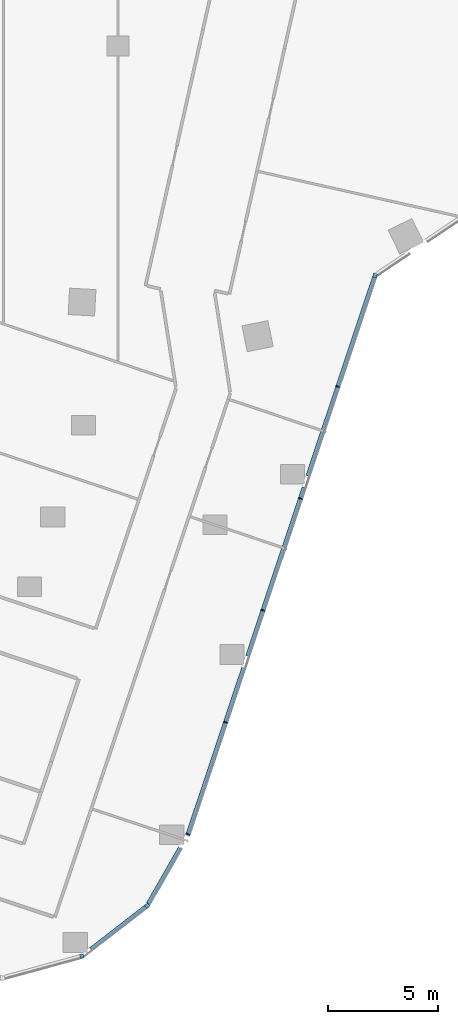
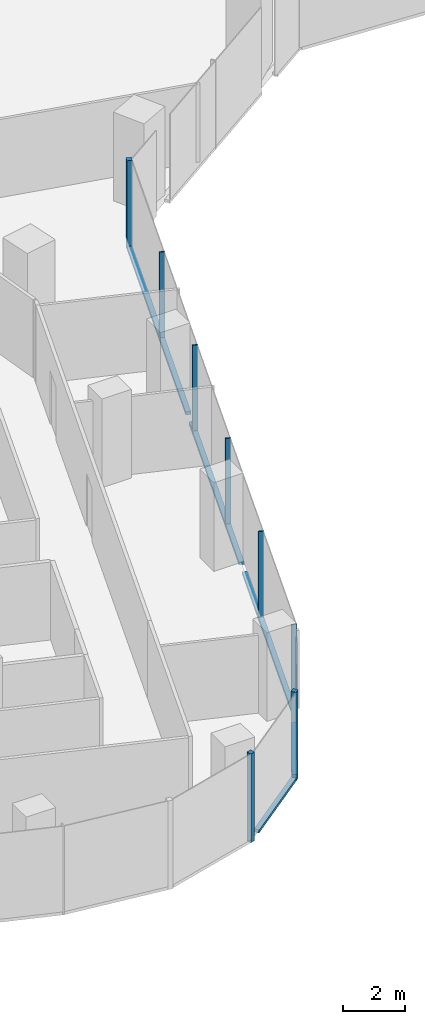
# One storey, part 5 of 32: 13 members, 4 elements without a shape of their own.
"""IFC4 building model written with IfcOpenShell, lengths in metres."""

import ifcopenshell
import ifcopenshell.guid

model = None  # the IFC model being written
_history = None  # IfcOwnerHistory: only IFC2X3 demands one
_inside = {}  # id of a spatial element -> (the spatial element, [elements in it])
_under = {}  # id of a project, library or spatial element -> (it, [spatial elements below it])
_declared = {}  # id of a project -> (the project, [libraries it declares])
_typed = {}  # id of a type object -> (the type object, [elements of that type])
_made_of = {}  # id of a material, layer set ... -> (it, [elements and type objects made of it])


def new_model(schema):
    """Start an empty IFC model of exactly this schema.

    Asked for "IFC4X3", IfcOpenShell would pick the latest addendum, in which some entities
    have other attributes; the version numbers below select the first issue.
    IFC2X3 requires an IfcOwnerHistory on every rooted entity: one is made here for all.
    """
    global model, _history
    if schema == "IFC4X3":
        model = ifcopenshell.file(schema_version=(4, 3, 0, 0))
    else:
        model = ifcopenshell.file(schema=schema)
    _inside.clear()
    _under.clear()
    _declared.clear()
    _typed.clear()
    _made_of.clear()
    _history = None
    if model.schema == "IFC2X3":
        org = make("IfcOrganization", Name="unknown")
        user = make(
            "IfcPersonAndOrganization",
            ThePerson=make("IfcPerson", FamilyName="unknown"),
            TheOrganization=org,
        )
        app = make(
            "IfcApplication",
            ApplicationDeveloper=org,
            Version="unknown",
            ApplicationFullName="unknown",
            ApplicationIdentifier="unknown",
        )
        _history = make(
            "IfcOwnerHistory",
            OwningUser=user,
            OwningApplication=app,
            ChangeAction="ADDED",
            CreationDate=0,
        )
    return model


def make(cls, **values):
    """One entity of the class cls with the attributes given. An attribute that is None is left unset."""
    return model.create_entity(
        cls, **{name: value for name, value in values.items() if value is not None}
    )


def rooted(cls, **values):
    """An entity with a GlobalId (a new one), such as an element, a storey or a relation."""
    return make(cls, GlobalId=ifcopenshell.guid.new(), OwnerHistory=_history, **values)


def si_unit(unit_type, name, prefix=None):
    """IfcSIUnit, for example si_unit("LENGTHUNIT", "METRE", prefix="MILLI")."""
    return make("IfcSIUnit", UnitType=unit_type, Prefix=prefix, Name=name)


def assignment(units):
    """IfcUnitAssignment: the units of a project."""
    return None if units is None else make("IfcUnitAssignment", Units=units)


def point(xyz):
    """IfcCartesianPoint."""
    return None if xyz is None else make("IfcCartesianPoint", Coordinates=xyz)


def direction(xyz):
    """IfcDirection."""
    return None if xyz is None else make("IfcDirection", DirectionRatios=xyz)


def frame(location, z_axis=None, x_axis=None):
    """IfcAxis2Placement3D, a coordinate frame: its origin and axes. An axis left out is left unset."""
    return make(
        "IfcAxis2Placement3D",
        Location=point(location),
        Axis=direction(z_axis),
        RefDirection=direction(x_axis),
    )


def frame_2d(location, x_axis=None):
    """IfcAxis2Placement2D, a coordinate frame in the plane: its origin and x axis."""
    return make(
        "IfcAxis2Placement2D", Location=point(location), RefDirection=direction(x_axis)
    )


def origin():
    """The frame at (0, 0, 0) with its axes left unset."""
    return frame((0.0, 0.0, 0.0))


def origin_2d():
    """The frame at (0, 0) in the plane with its x axis left unset."""
    return frame_2d((0.0, 0.0))


def place(relative_to, where):
    """IfcLocalPlacement: puts the frame where relative to a parent placement (None: the world)."""
    return make(
        "IfcLocalPlacement", PlacementRelTo=relative_to, RelativePlacement=where
    )


def context(
    kind, dimensions, precision=None, world=None, true_north=None, identifier=None
):
    """IfcGeometricRepresentationContext, for example the 3D "Model" context."""
    return make(
        "IfcGeometricRepresentationContext",
        ContextIdentifier=identifier,
        ContextType=kind,
        CoordinateSpaceDimension=dimensions,
        Precision=precision,
        WorldCoordinateSystem=world,
        TrueNorth=true_north,
    )


def subcontext(parent, identifier, kind, view, scale=None):
    """IfcGeometricRepresentationSubContext, for example "Body" below "Model"."""
    return make(
        "IfcGeometricRepresentationSubContext",
        ContextIdentifier=identifier,
        ContextType=kind,
        ParentContext=parent,
        TargetScale=scale,
        TargetView=view,
    )


def project(units=None, contexts=None):
    """IfcProject with its units and contexts."""
    return rooted(
        "IfcProject",
        Name="project",
        RepresentationContexts=contexts,
        UnitsInContext=assignment(units),
    )


def spatial(cls, under=None, at=None, **own):
    """A site, building, storey or space (cls), placed at a placement, below another one or the project."""
    s = rooted(cls, ObjectPlacement=at, **own)
    if under is not None:
        _under.setdefault(under.id(), (under, []))[1].append(s)
    return s


def profile(cls, at=None, kind="AREA", **sizes):
    """A parametric profile (cls). Its sizes go by their IFC names, for example OverallWidth=200.0."""
    return make(cls, ProfileType=kind, Position=at, **sizes)


def rectangle(**sizes):
    """IfcRectangleProfileDef."""
    return profile("IfcRectangleProfileDef", **sizes)


def extrude(swept, where, along, depth):
    """IfcExtrudedAreaSolid: the profile swept, set in the frame where, extruded along a direction by depth."""
    return make(
        "IfcExtrudedAreaSolid",
        SweptArea=swept,
        Position=where,
        ExtrudedDirection=direction(along),
        Depth=depth,
    )


def shape(context_of_items, identifier, shape_type, items):
    """IfcShapeRepresentation: the items that make up one representation, for example the "Body"."""
    return make(
        "IfcShapeRepresentation",
        ContextOfItems=context_of_items,
        RepresentationIdentifier=identifier,
        RepresentationType=shape_type,
        Items=items,
    )


def material(Name=None, Category=None):
    """IfcMaterial."""
    return make("IfcMaterial", Name=Name, Category=Category)


def material_profile(
    of_material, cross_section, Name=None, Category=None, Priority=None
):
    """IfcMaterialProfile: a cross section and its material."""
    return make(
        "IfcMaterialProfile",
        Name=Name,
        Material=of_material,
        Profile=cross_section,
        Priority=Priority,
        Category=Category,
    )


def profile_set(profiles, Name=None, composite=None):
    """IfcMaterialProfileSet."""
    return make(
        "IfcMaterialProfileSet",
        Name=Name,
        MaterialProfiles=profiles,
        CompositeProfile=composite,
    )


def made_of(thing, what):
    """Note that an element or type object is made of a material, layer set ...; save() writes the relation."""
    if what is not None:
        _made_of.setdefault(what.id(), (what, []))[1].append(thing)
    return thing


def type_object(cls, material=None, **own):
    """A type object (cls), such as IfcWallType, which elements share."""
    return made_of(rooted(cls, **own), material)


def element(
    cls,
    number,
    at=None,
    inside=None,
    cuts=None,
    type_object=None,
    material=None,
    context=None,
    identifier="Body",
    shape_type=None,
    held_by="IfcProductDefinitionShape",
    body=None,
    shapes=None,
    **own,
):
    """One element of the class cls, such as IfcWall. Its Tag is "e" and its number.

    at: its placement. inside: the storey or other place that contains it. cuts: it is an
    opening in that element (IfcRelVoidsElement). A single representation is given by context,
    identifier, shape_type and body (its items); several are given by shapes. held_by: the class
    of the entity that holds the representations. save() writes the other relations.
    """
    e = rooted(cls, Tag="e%d" % number, ObjectPlacement=at, **own)
    if body is not None:
        shapes = [shape(context, identifier, shape_type, body)]
    if shapes is not None:
        e.Representation = make(held_by, Representations=shapes)
    if inside is not None:
        _inside.setdefault(inside.id(), (inside, []))[1].append(e)
    if cuts is not None:
        rooted(
            "IfcRelVoidsElement", RelatingBuildingElement=cuts, RelatedOpeningElement=e
        )
    if type_object is not None:
        _typed.setdefault(type_object.id(), (type_object, []))[1].append(e)
    return made_of(e, material)


def aggregate(whole, parts):
    """IfcRelAggregates: a whole, such as a stair, and the parts it consists of."""
    return rooted("IfcRelAggregates", RelatingObject=whole, RelatedObjects=parts)


def save(model, path):
    """Write the relations noted so far, then the file.

    IfcRelAggregates (storeys below a building ...), IfcRelContainedInSpatialStructure (elements
    in a storey), IfcRelDefinesByType, IfcRelAssociatesMaterial and IfcRelDeclares: one each for
    every whole, place, type object, material and project.
    """
    for whole, parts in _under.values():
        aggregate(whole, parts)
    for where, things in _inside.values():
        rooted(
            "IfcRelContainedInSpatialStructure",
            RelatedElements=things,
            RelatingStructure=where,
        )
    for kind, things in _typed.values():
        rooted("IfcRelDefinesByType", RelatedObjects=things, RelatingType=kind)
    for what, things in _made_of.values():
        rooted("IfcRelAssociatesMaterial", RelatedObjects=things, RelatingMaterial=what)
    for by, libraries in _declared.values():
        rooted("IfcRelDeclares", RelatingContext=by, RelatedDefinitions=libraries)
    model.write(path)


model = new_model("IFC4")

# Units and contexts
model_context = context("Model", 3, precision=1e-05, world=origin(), true_north=direction((0.0, 1.0)))
body_context = subcontext(model_context, "Body", "Model", "MODEL_VIEW")
ifc_project = project(units=[si_unit("LENGTHUNIT", "METRE"), si_unit("AREAUNIT", "SQUARE_METRE"), si_unit("VOLUMEUNIT", "CUBIC_METRE"), si_unit("PLANEANGLEUNIT", "RADIAN"), si_unit("MASSUNIT", "GRAM", prefix="KILO")], contexts=[model_context])

# Site, building, storey
site_placement = place(None, origin())
site = spatial("IfcSite", under=ifc_project, at=site_placement, CompositionType="ELEMENT")
building_placement = place(site_placement, origin())
building = spatial("IfcBuilding", under=site, at=building_placement, Name="Orlundy Tower", CompositionType="ELEMENT")
storey_placement = place(building_placement, frame((0.0, 0.0, 149.10009765625)))
storey = spatial("IfcBuildingStorey", under=building, at=storey_placement, Name="L38", CompositionType="ELEMENT", Elevation=149.10009765625)

# Curtain wall, member
ifc_material_1 = material(Name="Aluminium bronze anodised", Category="aluminium")
curtain_wall_type = type_object("IfcCurtainWallType", Name="CW1 wall", PredefinedType="NOTDEFINED", material=ifc_material_1)
curtain_wall_1_placement = place(storey_placement, origin())
curtain_wall_1 = element("IfcCurtainWall", 1, at=curtain_wall_1_placement, inside=storey, type_object=curtain_wall_type, Name="CW1 run 02", PredefinedType="NOTDEFINED")
ifc_material_2 = material(Name="Aluminium bronze anodised", Category="aluminium")
ifc_material_profile_1 = material_profile(ifc_material_2, rectangle(XDim=0.179931640625, YDim=0.179931640625, at=origin_2d()), Name="CW1 corner post 180x180")
ifc_profile_set_1 = profile_set([ifc_material_profile_1], Name="Aluminium bronze anodised")
member_type_1 = type_object("IfcMemberType", Name="CW1 corner post 180x180", PredefinedType="MULLION", material=ifc_profile_set_1)
member_1_placement = place(storey_placement, frame((11.675537109375, -28.41943359375, -0.400146484375), z_axis=(0.0, 0.0, 1.0), x_axis=(0.948320522025, -0.317314020344, 0.0)))
member_1 = element("IfcMember", 2, at=member_1_placement, type_object=member_type_1, Name="CW1 mullion 9", PredefinedType="MULLION", context=body_context, shape_type="SweptSolid", body=[
    extrude(rectangle(XDim=0.179931640625, YDim=0.179931640625, at=origin_2d()), origin(), (0.0, 0.0, 1.0), 3.5),
])

curtain_wall_2_placement = place(storey_placement, origin())
curtain_wall_2 = element("IfcCurtainWall", 3, at=curtain_wall_2_placement, inside=storey, type_object=curtain_wall_type, Name="CW1 run 04", PredefinedType="NOTDEFINED")
member_2_placement = place(storey_placement, frame((1.331298828125, -57.040283203125, -0.400146484375), z_axis=(0.0, 0.0, 1.0), x_axis=(0.61231463548, -0.790614183516, 0.0)))
member_2 = element("IfcMember", 4, at=member_2_placement, type_object=member_type_1, Name="CW1 mullion 15", PredefinedType="MULLION", context=body_context, shape_type="SweptSolid", body=[
    extrude(rectangle(XDim=0.179931640625, YDim=0.179931640625, at=origin_2d()), origin(), (0.0, 0.0, 1.0), 3.5),
])

curtain_wall_3_placement = place(storey_placement, origin())
curtain_wall_3 = element("IfcCurtainWall", 5, at=curtain_wall_3_placement, inside=storey, type_object=curtain_wall_type, Name="CW1 run 05", PredefinedType="NOTDEFINED")
member_3_placement = place(storey_placement, frame((-1.6279296875, -59.33203125, -0.400146484375), z_axis=(0.0, 0.0, 1.0), x_axis=(0.263048919026, -0.964782496835, 0.0)))
member_3 = element("IfcMember", 6, at=member_3_placement, type_object=member_type_1, Name="CW1 mullion 16", PredefinedType="MULLION", context=body_context, shape_type="SweptSolid", body=[
    extrude(rectangle(XDim=0.179931640625, YDim=0.179931640625, at=origin_2d()), origin(), (0.0, 0.0, 1.0), 3.5),
])
aggregate(curtain_wall_3, [member_3])

# Member
ifc_material_3 = material(Name="Aluminium bronze anodised", Category="aluminium")
ifc_material_profile_2 = material_profile(ifc_material_3, rectangle(XDim=0.179931640625, YDim=0.050048828125, at=origin_2d()), Name="CW1 mullion 50x180")
ifc_profile_set_2 = profile_set([ifc_material_profile_2], Name="Aluminium bronze anodised")
member_type_2 = type_object("IfcMemberType", Name="CW1 mullion 50x180", PredefinedType="MULLION", material=ifc_profile_set_2)
member_4_placement = place(storey_placement, frame((9.985595703125, -33.470458984375, -0.400146484375), z_axis=(0.0, 0.0, 1.0), x_axis=(0.948320522025, -0.317314020344, 0.0)))
member_4 = element("IfcMember", 7, at=member_4_placement, type_object=member_type_2, Name="CW1 mullion 10", PredefinedType="MULLION", context=body_context, shape_type="SweptSolid", body=[
    extrude(rectangle(XDim=0.179931640625, YDim=0.050048828125, at=origin_2d()), origin(), (0.0, 0.0, 1.0), 3.5),
])

member_5_placement = place(storey_placement, frame((8.28564453125, -38.550537109375, -0.400146484375), z_axis=(0.0, 0.0, 1.0), x_axis=(0.948320522025, -0.317314020344, 0.0)))
member_5 = element("IfcMember", 8, at=member_5_placement, type_object=member_type_2, Name="CW1 mullion 11", PredefinedType="MULLION", context=body_context, shape_type="SweptSolid", body=[
    extrude(rectangle(XDim=0.179931640625, YDim=0.050048828125, at=origin_2d()), origin(), (0.0, 0.0, 1.0), 3.5),
])

member_6_placement = place(storey_placement, frame((6.5859375, -43.630615234375, -0.400146484375), z_axis=(0.0, 0.0, 1.0), x_axis=(0.948320522025, -0.317314020344, 0.0)))
member_6 = element("IfcMember", 9, at=member_6_placement, type_object=member_type_2, Name="CW1 mullion 12", PredefinedType="MULLION", context=body_context, shape_type="SweptSolid", body=[
    extrude(rectangle(XDim=0.179931640625, YDim=0.050048828125, at=origin_2d()), origin(), (0.0, 0.0, 1.0), 3.5),
])

member_7_placement = place(storey_placement, frame((4.88623046875, -48.71044921875, -0.400146484375), z_axis=(0.0, 0.0, 1.0), x_axis=(0.948320522025, -0.317314020344, 0.0)))
member_7 = element("IfcMember", 10, at=member_7_placement, type_object=member_type_2, Name="CW1 mullion 13", PredefinedType="MULLION", context=body_context, shape_type="SweptSolid", body=[
    extrude(rectangle(XDim=0.179931640625, YDim=0.050048828125, at=origin_2d()), origin(), (0.0, 0.0, 1.0), 3.5),
])

# Curtain wall, member
curtain_wall_4_placement = place(storey_placement, origin())
curtain_wall_4 = element("IfcCurtainWall", 11, at=curtain_wall_4_placement, inside=storey, type_object=curtain_wall_type, Name="CW1 run 03", PredefinedType="NOTDEFINED")
member_8_placement = place(storey_placement, frame((3.18359375, -53.799072265625, -0.400146484375), z_axis=(0.0, 0.0, 1.0), x_axis=(0.912665322896, -0.408707729781, 0.0)))
member_8 = element("IfcMember", 12, at=member_8_placement, type_object=member_type_2, Name="CW1 mullion 14", PredefinedType="MULLION", context=body_context, shape_type="SweptSolid", body=[
    extrude(rectangle(XDim=0.179931640625, YDim=0.050048828125, at=origin_2d()), origin(), (0.0, 0.0, 1.0), 3.5),
])

# Member
ifc_material_4 = material(Name="Aluminium bronze anodised", Category="aluminium")
ifc_material_profile_3 = material_profile(ifc_material_4, rectangle(XDim=0.179931640625, YDim=0.1201171875, at=origin_2d()), Name="CW1 transom 180x120")
ifc_profile_set_3 = profile_set([ifc_material_profile_3], Name="Aluminium bronze anodised")
member_type_3 = type_object("IfcMemberType", Name="CW1 transom 180x120", PredefinedType="USERDEFINED", material=ifc_profile_set_3)
member_9_placement = place(storey_placement, frame((11.647216796875, -28.5048828125, -0.340087890625), z_axis=(-0.317327622506, -0.948315970547, 0.0), x_axis=(0.948315970547, -0.317327622506, 0.0)))
member_9 = element("IfcMember", 13, at=member_9_placement, type_object=member_type_3, Name="CW1 transom", ObjectType="TRANSOM", PredefinedType="USERDEFINED", context=body_context, shape_type="SweptSolid", body=[
    extrude(rectangle(XDim=0.179931640625, YDim=0.1201171875, at=origin_2d()), origin(), (0.0, 0.0, 1.0), 9.52099609375),
])

member_10_placement = place(storey_placement, frame((8.453125, -38.050048828125, -0.340087890625), z_axis=(-0.317305270862, -0.948323449611, 0.0), x_axis=(0.948323449611, -0.317305270862, 0.0)))
member_10 = element("IfcMember", 14, at=member_10_placement, type_object=member_type_3, Name="CW1 transom", ObjectType="TRANSOM", PredefinedType="USERDEFINED", context=body_context, shape_type="SweptSolid", body=[
    extrude(rectangle(XDim=0.179931640625, YDim=0.1201171875, at=origin_2d()), origin(), (0.0, 0.0, 1.0), 8.08740234375),
])

member_11_placement = place(storey_placement, frame((5.71337890625, -46.238037109375, -0.340087890625), z_axis=(-0.317314968724, -0.94832020469, 0.0), x_axis=(0.94832020469, -0.317314968724, 0.0)))
member_11 = element("IfcMember", 15, at=member_11_placement, type_object=member_type_3, Name="CW1 transom", ObjectType="TRANSOM", PredefinedType="USERDEFINED", context=body_context, shape_type="SweptSolid", body=[
    extrude(rectangle(XDim=0.179931640625, YDim=0.1201171875, at=origin_2d()), origin(), (0.0, 0.0, 1.0), 7.94775390625),
])

aggregate(curtain_wall_1, [member_1, member_4, member_5, member_6, member_7, member_9, member_10, member_11])

member_12_placement = place(storey_placement, frame((2.826904296875, -54.423095703125, -0.340087890625), z_axis=(-0.496174993415, -0.868222538241, 0.0), x_axis=(0.868222538241, -0.496174993415, 0.0)))
member_12 = element("IfcMember", 16, at=member_12_placement, type_object=member_type_3, Name="CW1 transom", ObjectType="TRANSOM", PredefinedType="USERDEFINED", context=body_context, shape_type="SweptSolid", body=[
    extrude(rectangle(XDim=0.179931640625, YDim=0.1201171875, at=origin_2d()), origin(), (0.0, 0.0, 1.0), 2.916748046875),
])

aggregate(curtain_wall_4, [member_8, member_12])

member_13_placement = place(storey_placement, frame((1.260009765625, -57.09521484375, -0.340087890625), z_axis=(-0.790590921705, -0.612344669706, 0.0), x_axis=(0.612344669706, -0.790590921705, 0.0)))
member_13 = element("IfcMember", 17, at=member_13_placement, type_object=member_type_3, Name="CW1 transom", ObjectType="TRANSOM", PredefinedType="USERDEFINED", context=body_context, shape_type="SweptSolid", body=[
    extrude(rectangle(XDim=0.179931640625, YDim=0.1201171875, at=origin_2d()), origin(), (0.0, 0.0, 1.0), 3.158447265625),
])

aggregate(curtain_wall_2, [member_2, member_13])

save(model, "model.ifc")
